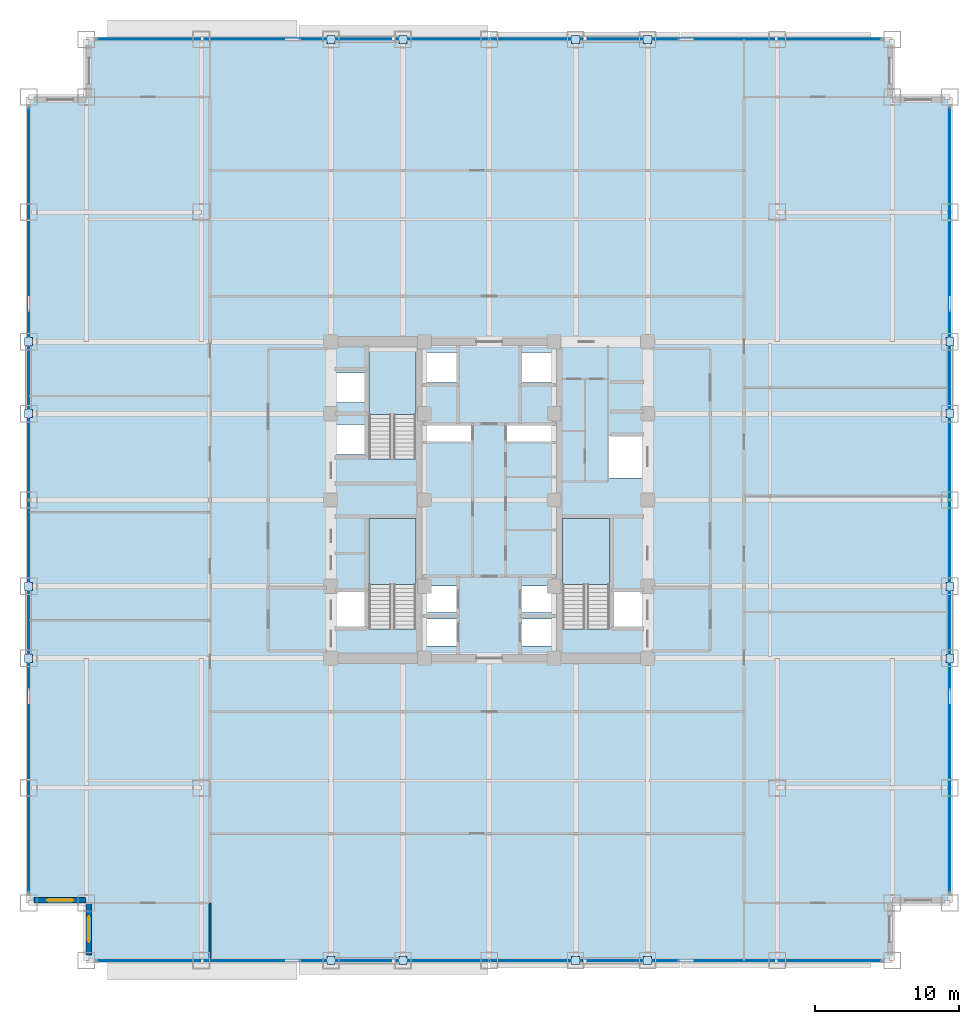
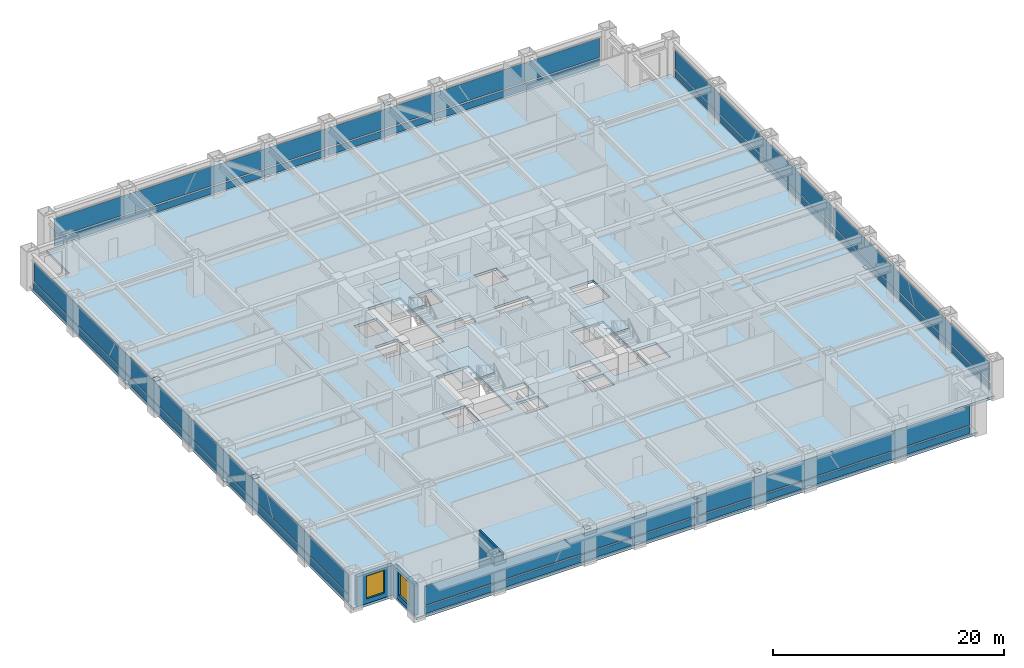
# One storey, part 22 of 32: 32 plates, 4 slabs, 3 walls, 2 windows, 2 openings, 7 elements without a shape of their own.
"""IFC4 building model written with IfcOpenShell, lengths in metres."""

import ifcopenshell
import ifcopenshell.guid

model = None  # the IFC model being written
_history = None  # IfcOwnerHistory: only IFC2X3 demands one
_inside = {}  # id of a spatial element -> (the spatial element, [elements in it])
_under = {}  # id of a project, library or spatial element -> (it, [spatial elements below it])
_declared = {}  # id of a project -> (the project, [libraries it declares])
_typed = {}  # id of a type object -> (the type object, [elements of that type])
_made_of = {}  # id of a material, layer set ... -> (it, [elements and type objects made of it])


def new_model(schema):
    """Start an empty IFC model of exactly this schema.

    Asked for "IFC4X3", IfcOpenShell would pick the latest addendum, in which some entities
    have other attributes; the version numbers below select the first issue.
    IFC2X3 requires an IfcOwnerHistory on every rooted entity: one is made here for all.
    """
    global model, _history
    if schema == "IFC4X3":
        model = ifcopenshell.file(schema_version=(4, 3, 0, 0))
    else:
        model = ifcopenshell.file(schema=schema)
    _inside.clear()
    _under.clear()
    _declared.clear()
    _typed.clear()
    _made_of.clear()
    _history = None
    if model.schema == "IFC2X3":
        org = make("IfcOrganization", Name="unknown")
        user = make(
            "IfcPersonAndOrganization",
            ThePerson=make("IfcPerson", FamilyName="unknown"),
            TheOrganization=org,
        )
        app = make(
            "IfcApplication",
            ApplicationDeveloper=org,
            Version="unknown",
            ApplicationFullName="unknown",
            ApplicationIdentifier="unknown",
        )
        _history = make(
            "IfcOwnerHistory",
            OwningUser=user,
            OwningApplication=app,
            ChangeAction="ADDED",
            CreationDate=0,
        )
    return model


def make(cls, **values):
    """One entity of the class cls with the attributes given. An attribute that is None is left unset."""
    return model.create_entity(
        cls, **{name: value for name, value in values.items() if value is not None}
    )


def rooted(cls, **values):
    """An entity with a GlobalId (a new one), such as an element, a storey or a relation."""
    return make(cls, GlobalId=ifcopenshell.guid.new(), OwnerHistory=_history, **values)


def si_unit(unit_type, name, prefix=None):
    """IfcSIUnit, for example si_unit("LENGTHUNIT", "METRE", prefix="MILLI")."""
    return make("IfcSIUnit", UnitType=unit_type, Prefix=prefix, Name=name)


def assignment(units):
    """IfcUnitAssignment: the units of a project."""
    return None if units is None else make("IfcUnitAssignment", Units=units)


def point(xyz):
    """IfcCartesianPoint."""
    return None if xyz is None else make("IfcCartesianPoint", Coordinates=xyz)


def direction(xyz):
    """IfcDirection."""
    return None if xyz is None else make("IfcDirection", DirectionRatios=xyz)


def frame(location, z_axis=None, x_axis=None):
    """IfcAxis2Placement3D, a coordinate frame: its origin and axes. An axis left out is left unset."""
    return make(
        "IfcAxis2Placement3D",
        Location=point(location),
        Axis=direction(z_axis),
        RefDirection=direction(x_axis),
    )


def frame_2d(location, x_axis=None):
    """IfcAxis2Placement2D, a coordinate frame in the plane: its origin and x axis."""
    return make(
        "IfcAxis2Placement2D", Location=point(location), RefDirection=direction(x_axis)
    )


def origin():
    """The frame at (0, 0, 0) with its axes left unset."""
    return frame((0.0, 0.0, 0.0))


def origin_2d():
    """The frame at (0, 0) in the plane with its x axis left unset."""
    return frame_2d((0.0, 0.0))


def place(relative_to, where):
    """IfcLocalPlacement: puts the frame where relative to a parent placement (None: the world)."""
    return make(
        "IfcLocalPlacement", PlacementRelTo=relative_to, RelativePlacement=where
    )


def context(
    kind, dimensions, precision=None, world=None, true_north=None, identifier=None
):
    """IfcGeometricRepresentationContext, for example the 3D "Model" context."""
    return make(
        "IfcGeometricRepresentationContext",
        ContextIdentifier=identifier,
        ContextType=kind,
        CoordinateSpaceDimension=dimensions,
        Precision=precision,
        WorldCoordinateSystem=world,
        TrueNorth=true_north,
    )


def subcontext(parent, identifier, kind, view, scale=None):
    """IfcGeometricRepresentationSubContext, for example "Body" below "Model"."""
    return make(
        "IfcGeometricRepresentationSubContext",
        ContextIdentifier=identifier,
        ContextType=kind,
        ParentContext=parent,
        TargetScale=scale,
        TargetView=view,
    )


def project(units=None, contexts=None):
    """IfcProject with its units and contexts."""
    return rooted(
        "IfcProject",
        Name="project",
        RepresentationContexts=contexts,
        UnitsInContext=assignment(units),
    )


def spatial(cls, under=None, at=None, **own):
    """A site, building, storey or space (cls), placed at a placement, below another one or the project."""
    s = rooted(cls, ObjectPlacement=at, **own)
    if under is not None:
        _under.setdefault(under.id(), (under, []))[1].append(s)
    return s


def polyline(points):
    """IfcPolyline through the points."""
    return make("IfcPolyline", Points=[point(p) for p in points])


def profile(cls, at=None, kind="AREA", **sizes):
    """A parametric profile (cls). Its sizes go by their IFC names, for example OverallWidth=200.0."""
    return make(cls, ProfileType=kind, Position=at, **sizes)


def rectangle(**sizes):
    """IfcRectangleProfileDef."""
    return profile("IfcRectangleProfileDef", **sizes)


def outline(outer, holes=None, kind="AREA"):
    """IfcArbitraryClosedProfileDef: a profile drawn as a closed curve; with holes, ...WithVoids."""
    if holes is None:
        return make("IfcArbitraryClosedProfileDef", ProfileType=kind, OuterCurve=outer)
    return make(
        "IfcArbitraryProfileDefWithVoids",
        ProfileType=kind,
        OuterCurve=outer,
        InnerCurves=holes,
    )


def extrude(swept, where, along, depth):
    """IfcExtrudedAreaSolid: the profile swept, set in the frame where, extruded along a direction by depth."""
    return make(
        "IfcExtrudedAreaSolid",
        SweptArea=swept,
        Position=where,
        ExtrudedDirection=direction(along),
        Depth=depth,
    )


def shape(context_of_items, identifier, shape_type, items):
    """IfcShapeRepresentation: the items that make up one representation, for example the "Body"."""
    return make(
        "IfcShapeRepresentation",
        ContextOfItems=context_of_items,
        RepresentationIdentifier=identifier,
        RepresentationType=shape_type,
        Items=items,
    )


def source(mapping_origin, context_of_items, identifier, shape_type, items):
    """IfcRepresentationMap: a shape defined once, which mapped items show again and again."""
    return make(
        "IfcRepresentationMap",
        MappingOrigin=mapping_origin,
        MappedRepresentation=shape(context_of_items, identifier, shape_type, items),
    )


def transform(
    local_origin,
    x_axis=None,
    y_axis=None,
    z_axis=None,
    scale=None,
    scale2=None,
    scale3=None,
    uniform=True,
):
    """IfcCartesianTransformationOperator3D, or its non-uniform kind. x_axis, y_axis, z_axis: its Axis1, 2, 3."""
    if uniform:
        return make(
            "IfcCartesianTransformationOperator3D",
            Axis1=direction(x_axis),
            Axis2=direction(y_axis),
            LocalOrigin=point(local_origin),
            Scale=scale,
            Axis3=direction(z_axis),
        )
    return make(
        "IfcCartesianTransformationOperator3DnonUniform",
        Axis1=direction(x_axis),
        Axis2=direction(y_axis),
        LocalOrigin=point(local_origin),
        Scale=scale,
        Axis3=direction(z_axis),
        Scale2=scale2,
        Scale3=scale3,
    )


def mapped(mapping_source, mapping_target):
    """IfcMappedItem: shows the shape of a source again, moved by a transform."""
    return make(
        "IfcMappedItem", MappingSource=mapping_source, MappingTarget=mapping_target
    )


def material(Name=None, Category=None):
    """IfcMaterial."""
    return make("IfcMaterial", Name=Name, Category=Category)


def layer(
    of_material, thickness, ventilated=None, Name=None, Category=None, Priority=None
):
    """IfcMaterialLayer: one layer of a wall or slab, of a material (None: an air gap)."""
    return make(
        "IfcMaterialLayer",
        Material=of_material,
        LayerThickness=thickness,
        IsVentilated=ventilated,
        Name=Name,
        Category=Category,
        Priority=Priority,
    )


def layer_set(layers, Name=None):
    """IfcMaterialLayerSet."""
    return make("IfcMaterialLayerSet", MaterialLayers=layers, LayerSetName=Name)


def made_of(thing, what):
    """Note that an element or type object is made of a material, layer set ...; save() writes the relation."""
    if what is not None:
        _made_of.setdefault(what.id(), (what, []))[1].append(thing)
    return thing


def type_object(cls, material=None, **own):
    """A type object (cls), such as IfcWallType, which elements share."""
    return made_of(rooted(cls, **own), material)


def element(
    cls,
    number,
    at=None,
    inside=None,
    cuts=None,
    type_object=None,
    material=None,
    context=None,
    identifier="Body",
    shape_type=None,
    held_by="IfcProductDefinitionShape",
    body=None,
    shapes=None,
    **own,
):
    """One element of the class cls, such as IfcWall. Its Tag is "e" and its number.

    at: its placement. inside: the storey or other place that contains it. cuts: it is an
    opening in that element (IfcRelVoidsElement). A single representation is given by context,
    identifier, shape_type and body (its items); several are given by shapes. held_by: the class
    of the entity that holds the representations. save() writes the other relations.
    """
    e = rooted(cls, Tag="e%d" % number, ObjectPlacement=at, **own)
    if body is not None:
        shapes = [shape(context, identifier, shape_type, body)]
    if shapes is not None:
        e.Representation = make(held_by, Representations=shapes)
    if inside is not None:
        _inside.setdefault(inside.id(), (inside, []))[1].append(e)
    if cuts is not None:
        rooted(
            "IfcRelVoidsElement", RelatingBuildingElement=cuts, RelatedOpeningElement=e
        )
    if type_object is not None:
        _typed.setdefault(type_object.id(), (type_object, []))[1].append(e)
    return made_of(e, material)


def fill(opening, filler):
    """IfcRelFillsElement: the door or window that sits in an opening."""
    return rooted(
        "IfcRelFillsElement",
        RelatingOpeningElement=opening,
        RelatedBuildingElement=filler,
    )


def aggregate(whole, parts):
    """IfcRelAggregates: a whole, such as a stair, and the parts it consists of."""
    return rooted("IfcRelAggregates", RelatingObject=whole, RelatedObjects=parts)


def save(model, path):
    """Write the relations noted so far, then the file.

    IfcRelAggregates (storeys below a building ...), IfcRelContainedInSpatialStructure (elements
    in a storey), IfcRelDefinesByType, IfcRelAssociatesMaterial and IfcRelDeclares: one each for
    every whole, place, type object, material and project.
    """
    for whole, parts in _under.values():
        aggregate(whole, parts)
    for where, things in _inside.values():
        rooted(
            "IfcRelContainedInSpatialStructure",
            RelatedElements=things,
            RelatingStructure=where,
        )
    for kind, things in _typed.values():
        rooted("IfcRelDefinesByType", RelatedObjects=things, RelatingType=kind)
    for what, things in _made_of.values():
        rooted("IfcRelAssociatesMaterial", RelatedObjects=things, RelatingMaterial=what)
    for by, libraries in _declared.values():
        rooted("IfcRelDeclares", RelatingContext=by, RelatedDefinitions=libraries)
    model.write(path)


model = new_model("IFC4")

# Units and contexts
model_context = context("Model", 3, precision=1e-05, world=origin(), true_north=direction((0.0, 1.0)))
body_context = subcontext(model_context, "Body", "Model", "MODEL_VIEW")
ifc_project = project(units=[si_unit("LENGTHUNIT", "METRE"), si_unit("AREAUNIT", "SQUARE_METRE"), si_unit("VOLUMEUNIT", "CUBIC_METRE"), si_unit("PLANEANGLEUNIT", "RADIAN"), si_unit("MASSUNIT", "GRAM", prefix="KILO")], contexts=[model_context])

# Site, building, storey
site_placement = place(None, origin())
site = spatial("IfcSite", under=ifc_project, at=site_placement, CompositionType="ELEMENT")
building_placement = place(site_placement, origin())
building = spatial("IfcBuilding", under=site, at=building_placement, Name="Khorayat Bourse Tower", CompositionType="ELEMENT")
storey_placement = place(building_placement, frame((0.0, 0.0, 99.60009765625)))
storey = spatial("IfcBuildingStorey", under=building, at=storey_placement, Name="L22", CompositionType="ELEMENT", Elevation=99.60009765625)

# Stair, slab
ifc_material_1 = material(Name="Concrete C40/50", Category="concrete")
stair_type = type_object("IfcStairType", Name="STR-CORE-1550", PredefinedType="HALF_TURN_STAIR", material=ifc_material_1)
stair_1_placement = place(storey_placement, origin())
stair_1 = element("IfcStair", 1, at=stair_1_placement, inside=storey, type_object=stair_type, Name="L22 Exit Stair ST-1", PredefinedType="HALF_TURN_STAIR")
ifc_layer_1 = layer(ifc_material_1, 0.199951171875)
ifc_layer_set_1 = layer_set([ifc_layer_1], Name="Concrete C40/50")
slab_type_1 = type_object("IfcSlabType", Name="SLB-LANDING-200", PredefinedType="LANDING", material=ifc_layer_set_1)
slab_1_placement = place(storey_placement, frame((0.0, 0.0, 1.849853515625)))
slab_1 = element("IfcSlab", 2, at=slab_1_placement, type_object=slab_type_1, Name="ST-1 landing 1", PredefinedType="LANDING", context=body_context, shape_type="SweptSolid", body=[
    extrude(outline(polyline([(-5.10009765625, -5.8701171875), (-5.10009765625, -1.300048828125), (-8.35009765625, -1.300048828125), (-8.35009765625, -5.8701171875), (-5.10009765625, -5.8701171875)])), origin(), (0.0, 0.0, 1.0), 0.199951171875),
])
aggregate(stair_1, [slab_1])

stair_2_placement = place(storey_placement, origin())
stair_2 = element("IfcStair", 3, at=stair_2_placement, inside=storey, type_object=stair_type, Name="L22 Exit Stair ST-2", PredefinedType="HALF_TURN_STAIR")
slab_2_placement = place(storey_placement, frame((0.0, 0.0, 1.849853515625)))
slab_2 = element("IfcSlab", 4, at=slab_2_placement, type_object=slab_type_1, Name="ST-2 landing 1", PredefinedType="LANDING", context=body_context, shape_type="SweptSolid", body=[
    extrude(outline(polyline([(-5.10009765625, 5.929931640625), (-5.10009765625, 10.5), (-8.35009765625, 10.5), (-8.35009765625, 5.929931640625), (-5.10009765625, 5.929931640625)])), origin(), (0.0, 0.0, 1.0), 0.199951171875),
])
aggregate(stair_2, [slab_2])

stair_3_placement = place(storey_placement, origin())
stair_3 = element("IfcStair", 5, at=stair_3_placement, inside=storey, type_object=stair_type, Name="L22 Exit Stair ST-3", PredefinedType="HALF_TURN_STAIR")
slab_3_placement = place(storey_placement, frame((0.0, 0.0, 1.849853515625)))
slab_3 = element("IfcSlab", 6, at=slab_3_placement, type_object=slab_type_1, Name="ST-3 landing 1", PredefinedType="LANDING", context=body_context, shape_type="SweptSolid", body=[
    extrude(outline(polyline([(8.35009765625, -5.8701171875), (8.35009765625, -1.300048828125), (5.10009765625, -1.300048828125), (5.10009765625, -5.8701171875), (8.35009765625, -5.8701171875)])), origin(), (0.0, 0.0, 1.0), 0.199951171875),
])
aggregate(stair_3, [slab_3])

# Slab
ifc_layer_2 = layer(ifc_material_1, 0.260009765625)
ifc_layer_set_2 = layer_set([ifc_layer_2], Name="Concrete C40/50")
slab_type_2 = type_object("IfcSlabType", Name="SLB-TRADE-260", PredefinedType="FLOOR", material=ifc_layer_set_2)
slab_4_placement = place(storey_placement, frame((0.0, 0.0, -0.260009765625)))
element("IfcSlab", 7, at=slab_4_placement, inside=storey, type_object=slab_type_2, Name="L22 Main Floor Slab", PredefinedType="FLOOR", context=body_context, shape_type="SweptSolid", body=[
    extrude(outline(polyline([(-28.0, -32.0), (28.0, -32.0), (28.0, -28.0), (32.0, -28.0), (32.0, 28.0), (28.0, 28.0), (28.0, 32.0), (-28.0, 32.0), (-28.0, 28.0), (-32.0, 28.0), (-32.0, -28.0), (-28.0, -28.0), (-28.0, -32.0)]), holes=[polyline([(-8.35009765625, -8.945068359375), (-5.10009765625, -8.945068359375), (-5.10009765625, -1.300048828125), (-8.35009765625, -1.300048828125), (-8.35009765625, -8.945068359375)]), polyline([(-8.35009765625, 2.85498046875), (-5.10009765625, 2.85498046875), (-5.10009765625, 10.5), (-8.35009765625, 10.5), (-8.35009765625, 2.85498046875)]), polyline([(5.10009765625, -8.945068359375), (8.35009765625, -8.945068359375), (8.35009765625, -1.300048828125), (5.10009765625, -1.300048828125), (5.10009765625, -8.945068359375)]), polyline([(-4.3798828125, -10.1298828125), (-2.219970703125, -10.1298828125), (-2.219970703125, -8.27001953125), (-4.3798828125, -8.27001953125), (-4.3798828125, -10.1298828125)]), polyline([(2.219970703125, -10.1298828125), (4.3798828125, -10.1298828125), (4.3798828125, -8.27001953125), (2.219970703125, -8.27001953125), (2.219970703125, -10.1298828125)]), polyline([(-4.3798828125, -7.830078125), (-2.219970703125, -7.830078125), (-2.219970703125, -5.969970703125), (-4.3798828125, -5.969970703125), (-4.3798828125, -7.830078125)]), polyline([(2.219970703125, -7.830078125), (4.3798828125, -7.830078125), (4.3798828125, -5.969970703125), (2.219970703125, -5.969970703125), (2.219970703125, -7.830078125)]), polyline([(-4.3798828125, 8.169921875), (-2.1201171875, 8.169921875), (-2.1201171875, 10.22998046875), (-4.3798828125, 10.22998046875), (-4.3798828125, 8.169921875)]), polyline([(2.1201171875, 8.169921875), (4.3798828125, 8.169921875), (4.3798828125, 10.22998046875), (2.1201171875, 10.22998046875), (2.1201171875, 8.169921875)]), polyline([(-10.679931640625, 3.169921875), (-8.419921875, 3.169921875), (-8.419921875, 5.22998046875), (-10.679931640625, 5.22998046875), (-10.679931640625, 3.169921875)]), polyline([(-10.679931640625, 6.77001953125), (-8.419921875, 6.77001953125), (-8.419921875, 8.830078125), (-10.679931640625, 8.830078125), (-10.679931640625, 6.77001953125)]), polyline([(-10.679931640625, -8.929931640625), (-8.419921875, -8.929931640625), (-8.419921875, -6.3701171875), (-10.679931640625, -6.3701171875), (-10.679931640625, -8.929931640625)]), polyline([(8.419921875, -8.929931640625), (10.679931640625, -8.929931640625), (10.679931640625, -6.3701171875), (8.419921875, -6.3701171875), (8.419921875, -8.929931640625)]), polyline([(8.320068359375, 1.52001953125), (10.679931640625, 1.52001953125), (10.679931640625, 4.47998046875), (8.320068359375, 4.47998046875), (8.320068359375, 1.52001953125)]), polyline([(-4.56005859375, 4.080078125), (-1.18994140625, 4.080078125), (-1.18994140625, 5.219970703125), (-4.56005859375, 5.219970703125), (-4.56005859375, 4.080078125)]), polyline([(1.18994140625, 4.080078125), (4.56005859375, 4.080078125), (4.56005859375, 5.219970703125), (1.18994140625, 5.219970703125), (1.18994140625, 4.080078125)])]), origin(), (0.0, 0.0, 1.0), 0.260009765625),
])

# Plates
ifc_material_2 = material(Name="Steel EN 10025-2 S355J2", Category="steel")
ifc_layer_3 = layer(ifc_material_2, 0.02490234375)
ifc_layer_set_3 = layer_set([ifc_layer_3], Name="Steel EN 10025-2 S355J2")
plate_type_1 = type_object("IfcPlateType", Name="PLT-ENDCAP-25", PredefinedType="SHEET", material=ifc_layer_set_3)
shared_shape_1 = source(origin(), body_context, "Body", "SweptSolid", [
    extrude(rectangle(XDim=0.56005859375, YDim=0.56005859375, at=origin_2d()), origin(), (0.0, 0.0, 1.0), 0.02490234375),
])
for number, where, z_axis, x_axis, name in (
    (8, (-11.0, -32.0, 3.577392578125), (0.0, 0.0, 1.0), (1.0, 0.0, 0.0), "L22 Perimeter Brace End Plate 001"),
    (9, (-6.0, -32.0, 0.237548828125), (0.0, 0.0, 1.0), (1.0, 0.0, 0.0), "L22 Perimeter Brace End Plate 002"),
    (10, (6.0, -32.0, 3.577392578125), (0.0, 0.0, 1.0), (1.0, 0.0, 0.0), "L22 Perimeter Brace End Plate 003"),
    (11, (11.0, -32.0, 0.237548828125), (0.0, 0.0, 1.0), (1.0, 0.0, 0.0), "L22 Perimeter Brace End Plate 004"),
    (12, (-11.0, 32.0, 3.577392578125), (0.0, 0.0, 1.0), (1.0, 0.0, 0.0), "L22 Perimeter Brace End Plate 005"),
    (13, (-6.0, 32.0, 0.237548828125), (0.0, 0.0, 1.0), (1.0, 0.0, 0.0), "L22 Perimeter Brace End Plate 006"),
    (14, (6.0, 32.0, 3.577392578125), (0.0, 0.0, 1.0), (1.0, 0.0, 0.0), "L22 Perimeter Brace End Plate 007"),
    (15, (11.0, 32.0, 0.237548828125), (0.0, 0.0, 1.0), (1.0, 0.0, 0.0), "L22 Perimeter Brace End Plate 008"),
    (16, (-32.0, -11.0, 3.577392578125), (0.0, 0.0, 1.0), (1.0, 0.0, 0.0), "L22 Perimeter Brace End Plate 009"),
    (17, (-32.0, -6.0, 0.237548828125), (0.0, 0.0, 1.0), (1.0, 0.0, 0.0), "L22 Perimeter Brace End Plate 010"),
    (18, (-32.0, 6.0, 3.577392578125), (0.0, 0.0, 1.0), (1.0, 0.0, 0.0), "L22 Perimeter Brace End Plate 011"),
    (19, (-32.0, 11.0, 0.237548828125), (0.0, 0.0, 1.0), (1.0, 0.0, 0.0), "L22 Perimeter Brace End Plate 012"),
    (20, (32.0, -11.0, 3.577392578125), (0.0, 0.0, 1.0), (1.0, 0.0, 0.0), "L22 Perimeter Brace End Plate 013"),
    (21, (32.0, -6.0, 0.237548828125), (0.0, 0.0, 1.0), (1.0, 0.0, 0.0), "L22 Perimeter Brace End Plate 014"),
    (22, (32.0, 6.0, 3.577392578125), (0.0, 0.0, 1.0), (1.0, 0.0, 0.0), "L22 Perimeter Brace End Plate 015"),
    (23, (32.0, 11.0, 0.237548828125), (0.0, 0.0, 1.0), (1.0, 0.0, 0.0), "L22 Perimeter Brace End Plate 016"),
):
    element("IfcPlate", number, at=place(storey_placement, frame(where, z_axis=z_axis, x_axis=x_axis)), inside=storey, type_object=plate_type_1, Name=name, PredefinedType="SHEET", context=body_context, shape_type="MappedRepresentation", body=[
        mapped(shared_shape_1, transform((0.0, 0.0, 0.0), scale=1.0)),
    ])

# Curtain wall, plates
ifc_material_3 = material(Name="Aluminium EN AW-6063 T6", Category="aluminium")
curtain_wall_type = type_object("IfcCurtainWallType", Name="CW-SYS-02", PredefinedType="NOTDEFINED", material=ifc_material_3)
curtain_wall_1_placement = place(storey_placement, origin())
curtain_wall_1 = element("IfcCurtainWall", 24, at=curtain_wall_1_placement, inside=storey, type_object=curtain_wall_type, Name="L22 Curtain Wall CW-L22-S1", PredefinedType="NOTDEFINED")
ifc_material_4 = material(Name="Honed desert limestone insulated spandrel", Category="masonry")
ifc_layer_4 = layer(ifc_material_4, 0.06494140625)
ifc_layer_set_4 = layer_set([ifc_layer_4], Name="Honed desert limestone insulated spandrel")
plate_type_2 = type_object("IfcPlateType", Name="CWP-SPAND-03", PredefinedType="CURTAIN_PANEL", material=ifc_layer_set_4)
shared_shape_2 = source(origin(), body_context, "Body", "SweptSolid", [
    extrude(rectangle(XDim=27.139892578125, YDim=0.06494140625, at=origin_2d()), origin(), (0.0, 0.0, 1.0), 0.739990234375),
])
plate_1_placement = place(storey_placement, frame((-13.639892578125, -32.0, 0.14013671875), z_axis=(0.0, 0.0, 1.0), x_axis=(1.0, 0.0, 0.0)))
plate_1 = element("IfcPlate", 25, at=plate_1_placement, type_object=plate_type_2, Name="CW-L22-S1 Spandrel Panel 1-1", PredefinedType="CURTAIN_PANEL", context=body_context, shape_type="MappedRepresentation", body=[
    mapped(shared_shape_2, transform((0.0, 0.0, 0.0), scale=1.0)),
])
plate_2_placement = place(storey_placement, frame((13.639892578125, -32.0, 0.14013671875), z_axis=(0.0, 0.0, 1.0), x_axis=(1.0, 0.0, 0.0)))
plate_2 = element("IfcPlate", 26, at=plate_2_placement, type_object=plate_type_2, Name="CW-L22-S1 Spandrel Panel 2-1", PredefinedType="CURTAIN_PANEL", context=body_context, shape_type="MappedRepresentation", body=[
    mapped(shared_shape_2, transform((0.0, 0.0, 0.0), scale=1.0)),
])

curtain_wall_2_placement = place(storey_placement, origin())
curtain_wall_2 = element("IfcCurtainWall", 27, at=curtain_wall_2_placement, inside=storey, type_object=curtain_wall_type, Name="L22 Curtain Wall CW-L22-N1", PredefinedType="NOTDEFINED")
plate_3_placement = place(storey_placement, frame((-13.639892578125, 32.0, 0.14013671875), z_axis=(0.0, 0.0, 1.0), x_axis=(1.0, 0.0, 0.0)))
plate_3 = element("IfcPlate", 28, at=plate_3_placement, type_object=plate_type_2, Name="CW-L22-N1 Spandrel Panel 1-1", PredefinedType="CURTAIN_PANEL", context=body_context, shape_type="MappedRepresentation", body=[
    mapped(shared_shape_2, transform((0.0, 0.0, 0.0), scale=1.0)),
])
plate_4_placement = place(storey_placement, frame((13.639892578125, 32.0, 0.14013671875), z_axis=(0.0, 0.0, 1.0), x_axis=(1.0, 0.0, 0.0)))
plate_4 = element("IfcPlate", 29, at=plate_4_placement, type_object=plate_type_2, Name="CW-L22-N1 Spandrel Panel 2-1", PredefinedType="CURTAIN_PANEL", context=body_context, shape_type="MappedRepresentation", body=[
    mapped(shared_shape_2, transform((0.0, 0.0, 0.0), scale=1.0)),
])

curtain_wall_3_placement = place(storey_placement, origin())
curtain_wall_3 = element("IfcCurtainWall", 30, at=curtain_wall_3_placement, inside=storey, type_object=curtain_wall_type, Name="L22 Curtain Wall CW-L22-W1", PredefinedType="NOTDEFINED")
plate_5_placement = place(storey_placement, frame((-32.0, -13.639892578125, 0.14013671875), z_axis=(0.0, 0.0, 1.0), x_axis=(0.0, 1.0, 0.0)))
plate_5 = element("IfcPlate", 31, at=plate_5_placement, type_object=plate_type_2, Name="CW-L22-W1 Spandrel Panel 1-1", PredefinedType="CURTAIN_PANEL", context=body_context, shape_type="MappedRepresentation", body=[
    mapped(shared_shape_2, transform((0.0, 0.0, 0.0), scale=1.0)),
])
plate_6_placement = place(storey_placement, frame((-32.0, 13.639892578125, 0.14013671875), z_axis=(0.0, 0.0, 1.0), x_axis=(0.0, 1.0, 0.0)))
plate_6 = element("IfcPlate", 32, at=plate_6_placement, type_object=plate_type_2, Name="CW-L22-W1 Spandrel Panel 2-1", PredefinedType="CURTAIN_PANEL", context=body_context, shape_type="MappedRepresentation", body=[
    mapped(shared_shape_2, transform((0.0, 0.0, 0.0), scale=1.0)),
])

curtain_wall_4_placement = place(storey_placement, origin())
curtain_wall_4 = element("IfcCurtainWall", 33, at=curtain_wall_4_placement, inside=storey, type_object=curtain_wall_type, Name="L22 Curtain Wall CW-L22-E1", PredefinedType="NOTDEFINED")
plate_7_placement = place(storey_placement, frame((32.0, -13.639892578125, 0.14013671875), z_axis=(0.0, 0.0, 1.0), x_axis=(0.0, 1.0, 0.0)))
plate_7 = element("IfcPlate", 34, at=plate_7_placement, type_object=plate_type_2, Name="CW-L22-E1 Spandrel Panel 1-1", PredefinedType="CURTAIN_PANEL", context=body_context, shape_type="MappedRepresentation", body=[
    mapped(shared_shape_2, transform((0.0, 0.0, 0.0), scale=1.0)),
])
plate_8_placement = place(storey_placement, frame((32.0, 13.639892578125, 0.14013671875), z_axis=(0.0, 0.0, 1.0), x_axis=(0.0, 1.0, 0.0)))
plate_8 = element("IfcPlate", 35, at=plate_8_placement, type_object=plate_type_2, Name="CW-L22-E1 Spandrel Panel 2-1", PredefinedType="CURTAIN_PANEL", context=body_context, shape_type="MappedRepresentation", body=[
    mapped(shared_shape_2, transform((0.0, 0.0, 0.0), scale=1.0)),
])

# Plate
ifc_material_5 = material(Name="Low-E solar-control laminated double glazing", Category="glass")
ifc_layer_5 = layer(ifc_material_5, 0.0419921875)
ifc_layer_set_5 = layer_set([ifc_layer_5], Name="Low-E solar-control laminated double glazing")
plate_type_3 = type_object("IfcPlateType", Name="CWP-FACET-02", PredefinedType="CURTAIN_PANEL", material=ifc_layer_set_5)
shared_shape_3 = source(origin(), body_context, "Body", "SweptSolid", [
    extrude(rectangle(XDim=27.139892578125, YDim=0.0419921875, at=origin_2d()), origin(), (0.0, 0.0, 1.0), 2.030029296875),
])
plate_9_placement = place(storey_placement, frame((-13.639892578125, -32.0, 1.02001953125), z_axis=(0.0, 0.0, 1.0), x_axis=(1.0, 0.0, 0.0)))
plate_9 = element("IfcPlate", 36, at=plate_9_placement, type_object=plate_type_3, Name="CW-L22-S1 Vision Panel 1-2", PredefinedType="CURTAIN_PANEL", context=body_context, shape_type="MappedRepresentation", body=[
    mapped(shared_shape_3, transform((0.0, 0.0, 0.0), scale=1.0)),
])

plate_10_placement = place(storey_placement, frame((13.639892578125, -32.0, 1.02001953125), z_axis=(0.0, 0.0, 1.0), x_axis=(1.0, 0.0, 0.0)))
plate_10 = element("IfcPlate", 37, at=plate_10_placement, type_object=plate_type_3, Name="CW-L22-S1 Vision Panel 2-2", PredefinedType="CURTAIN_PANEL", context=body_context, shape_type="MappedRepresentation", body=[
    mapped(shared_shape_3, transform((0.0, 0.0, 0.0), scale=1.0)),
])

aggregate(curtain_wall_1, [plate_1, plate_9, plate_2, plate_10])

plate_11_placement = place(storey_placement, frame((-13.639892578125, 32.0, 1.02001953125), z_axis=(0.0, 0.0, 1.0), x_axis=(1.0, 0.0, 0.0)))
plate_11 = element("IfcPlate", 38, at=plate_11_placement, type_object=plate_type_3, Name="CW-L22-N1 Vision Panel 1-2", PredefinedType="CURTAIN_PANEL", context=body_context, shape_type="MappedRepresentation", body=[
    mapped(shared_shape_3, transform((0.0, 0.0, 0.0), scale=1.0)),
])

plate_12_placement = place(storey_placement, frame((13.639892578125, 32.0, 1.02001953125), z_axis=(0.0, 0.0, 1.0), x_axis=(1.0, 0.0, 0.0)))
plate_12 = element("IfcPlate", 39, at=plate_12_placement, type_object=plate_type_3, Name="CW-L22-N1 Vision Panel 2-2", PredefinedType="CURTAIN_PANEL", context=body_context, shape_type="MappedRepresentation", body=[
    mapped(shared_shape_3, transform((0.0, 0.0, 0.0), scale=1.0)),
])

aggregate(curtain_wall_2, [plate_3, plate_11, plate_4, plate_12])

plate_13_placement = place(storey_placement, frame((-32.0, -13.639892578125, 1.02001953125), z_axis=(0.0, 0.0, 1.0), x_axis=(0.0, 1.0, 0.0)))
plate_13 = element("IfcPlate", 40, at=plate_13_placement, type_object=plate_type_3, Name="CW-L22-W1 Vision Panel 1-2", PredefinedType="CURTAIN_PANEL", context=body_context, shape_type="MappedRepresentation", body=[
    mapped(shared_shape_3, transform((0.0, 0.0, 0.0), scale=1.0)),
])

plate_14_placement = place(storey_placement, frame((-32.0, 13.639892578125, 1.02001953125), z_axis=(0.0, 0.0, 1.0), x_axis=(0.0, 1.0, 0.0)))
plate_14 = element("IfcPlate", 41, at=plate_14_placement, type_object=plate_type_3, Name="CW-L22-W1 Vision Panel 2-2", PredefinedType="CURTAIN_PANEL", context=body_context, shape_type="MappedRepresentation", body=[
    mapped(shared_shape_3, transform((0.0, 0.0, 0.0), scale=1.0)),
])

aggregate(curtain_wall_3, [plate_5, plate_13, plate_6, plate_14])

plate_15_placement = place(storey_placement, frame((32.0, -13.639892578125, 1.02001953125), z_axis=(0.0, 0.0, 1.0), x_axis=(0.0, 1.0, 0.0)))
plate_15 = element("IfcPlate", 42, at=plate_15_placement, type_object=plate_type_3, Name="CW-L22-E1 Vision Panel 1-2", PredefinedType="CURTAIN_PANEL", context=body_context, shape_type="MappedRepresentation", body=[
    mapped(shared_shape_3, transform((0.0, 0.0, 0.0), scale=1.0)),
])

plate_16_placement = place(storey_placement, frame((32.0, 13.639892578125, 1.02001953125), z_axis=(0.0, 0.0, 1.0), x_axis=(0.0, 1.0, 0.0)))
plate_16 = element("IfcPlate", 43, at=plate_16_placement, type_object=plate_type_3, Name="CW-L22-E1 Vision Panel 2-2", PredefinedType="CURTAIN_PANEL", context=body_context, shape_type="MappedRepresentation", body=[
    mapped(shared_shape_3, transform((0.0, 0.0, 0.0), scale=1.0)),
])

aggregate(curtain_wall_4, [plate_7, plate_15, plate_8, plate_16])

# Wall, opening, window
ifc_material_6 = material(Name="Precast concrete C45/55", Category="concrete")
ifc_layer_6 = layer(ifc_material_6, 0.3798828125)
ifc_layer_set_6 = layer_set([ifc_layer_6], Name="Precast concrete C45/55")
wall_type_1 = type_object("IfcWallType", Name="WAL-EXT-STONE-380", PredefinedType="STANDARD", material=ifc_layer_set_6)
shared_shape_4 = source(origin(), body_context, "Body", "SweptSolid", [
    extrude(rectangle(XDim=3.6201171875, YDim=0.3798828125, at=frame_2d((1.81005859375, 0.0))), origin(), (0.0, 0.0, 1.0), 3.14501953125),
])
wall_1_placement = place(storey_placement, frame((-28.0, -27.81005859375, 0.0), z_axis=(0.0, 0.0, 1.0), x_axis=(-1.0, 0.0, 0.0)))
wall_1 = element("IfcWall", 44, at=wall_1_placement, inside=storey, type_object=wall_type_1, Name="L22 Re-Entrant Notch Limestone Wall SW-H", PredefinedType="STANDARD", context=body_context, shape_type="MappedRepresentation", body=[
    mapped(shared_shape_4, transform((0.0, 0.0, 0.0), scale=1.0)),
])
shared_shape_5 = source(origin(), body_context, "Body", "SweptSolid", [
    extrude(rectangle(XDim=1.800048828125, YDim=2.39990234375, at=frame_2d((0.89990234375, 1.199951171875))), frame((0.0, 0.199951171875, 0.0), z_axis=(0.0, -1.0, 0.0), x_axis=(1.0, 0.0, 0.0)), (0.0, 0.0, 1.0), 0.39990234375),
])
opening_1_placement = place(wall_1_placement, frame((0.909912109375, 0.0, 0.5)))
opening_1 = element("IfcOpeningElement", 45, at=opening_1_placement, cuts=wall_1, Name="Opening WN-04", PredefinedType="OPENING", context=body_context, shape_type="MappedRepresentation", body=[
    mapped(shared_shape_5, transform((0.0, 0.0, 0.0), scale=1.0)),
])
ifc_material_7 = material(Name="Low-E acoustic laminated double glazing", Category="glass")
window_type = type_object("IfcWindowType", Name="WIN-NOTCH-1800x2400", PartitioningType="SINGLE_PANEL", PredefinedType="WINDOW", material=ifc_material_7)
shared_shape_6 = source(origin(), body_context, "Body", "SweptSolid", [
    extrude(rectangle(XDim=1.800048828125, YDim=2.39990234375, at=frame_2d((0.89990234375, 1.199951171875))), frame((0.0, 0.030029296875, 0.0), z_axis=(0.0, -1.0, 0.0), x_axis=(1.0, 0.0, 0.0)), (0.0, 0.0, 1.0), 0.06005859375),
])
window_1_placement = place(opening_1_placement, origin())
window_1 = element("IfcWindow", 46, at=window_1_placement, inside=storey, type_object=window_type, Name="L22 Facade Window 1", OverallHeight=2.39990234375, OverallWidth=1.800048828125, PartitioningType="SINGLE_PANEL", PredefinedType="WINDOW", context=body_context, shape_type="MappedRepresentation", body=[
    mapped(shared_shape_6, transform((0.0, 0.0, 0.0), scale=1.0)),
])
fill(opening_1, window_1)

wall_2_placement = place(storey_placement, frame((-27.81005859375, -31.6201171875, 0.0), z_axis=(0.0, 0.0, 1.0), x_axis=(0.0, 1.0, 0.0)))
wall_2 = element("IfcWall", 47, at=wall_2_placement, inside=storey, type_object=wall_type_1, Name="L22 Re-Entrant Notch Limestone Wall SW-V", PredefinedType="STANDARD", context=body_context, shape_type="MappedRepresentation", body=[
    mapped(shared_shape_4, transform((0.0, 0.0, 0.0), scale=1.0)),
])
opening_2_placement = place(wall_2_placement, frame((0.909912109375, 0.0, 0.5)))
opening_2 = element("IfcOpeningElement", 48, at=opening_2_placement, cuts=wall_2, Name="Opening WN-04", PredefinedType="OPENING", context=body_context, shape_type="MappedRepresentation", body=[
    mapped(shared_shape_5, transform((0.0, 0.0, 0.0), scale=1.0)),
])
window_2_placement = place(opening_2_placement, origin())
window_2 = element("IfcWindow", 49, at=window_2_placement, inside=storey, type_object=window_type, Name="L22 Facade Window 1", OverallHeight=2.39990234375, OverallWidth=1.800048828125, PartitioningType="SINGLE_PANEL", PredefinedType="WINDOW", context=body_context, shape_type="MappedRepresentation", body=[
    mapped(shared_shape_6, transform((0.0, 0.0, 0.0), scale=1.0)),
])
fill(opening_2, window_2)

# Wall
ifc_material_8 = material(Name="Gypsum plasterboard twin-frame partition")
ifc_layer_7 = layer(ifc_material_8, 0.14990234375)
ifc_layer_set_7 = layer_set([ifc_layer_7], Name="Gypsum plasterboard twin-frame partition")
wall_type_2 = type_object("IfcWallType", Name="WAL-PART-SUITE-150", PredefinedType="PARTITIONING", material=ifc_layer_set_7)
shared_shape_7 = source(origin(), body_context, "Body", "SweptSolid", [
    extrude(rectangle(XDim=4.0, YDim=0.14990234375, at=frame_2d((2.0, 0.0))), origin(), (0.0, 0.0, 1.0), 3.83984375),
])
wall_3_placement = place(storey_placement, frame((-19.39990234375, -32.0, 0.0), z_axis=(0.0, 0.0, 1.0), x_axis=(0.0, 1.0, 0.0)))
element("IfcWall", 50, at=wall_3_placement, inside=storey, type_object=wall_type_2, Name="L22 Partition WAL-L22-SCW-END", PredefinedType="PARTITIONING", context=body_context, shape_type="MappedRepresentation", body=[
    mapped(shared_shape_7, transform((0.0, 0.0, 0.0), scale=1.0)),
])

save(model, "model.ifc")
